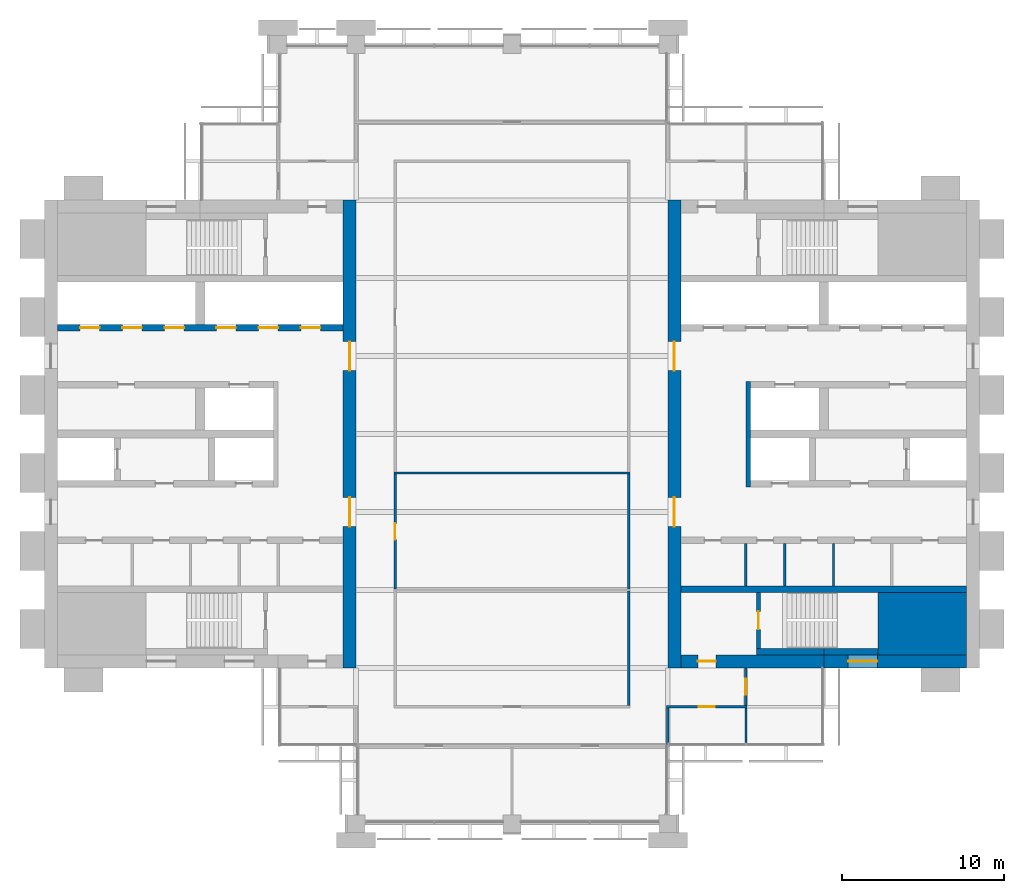
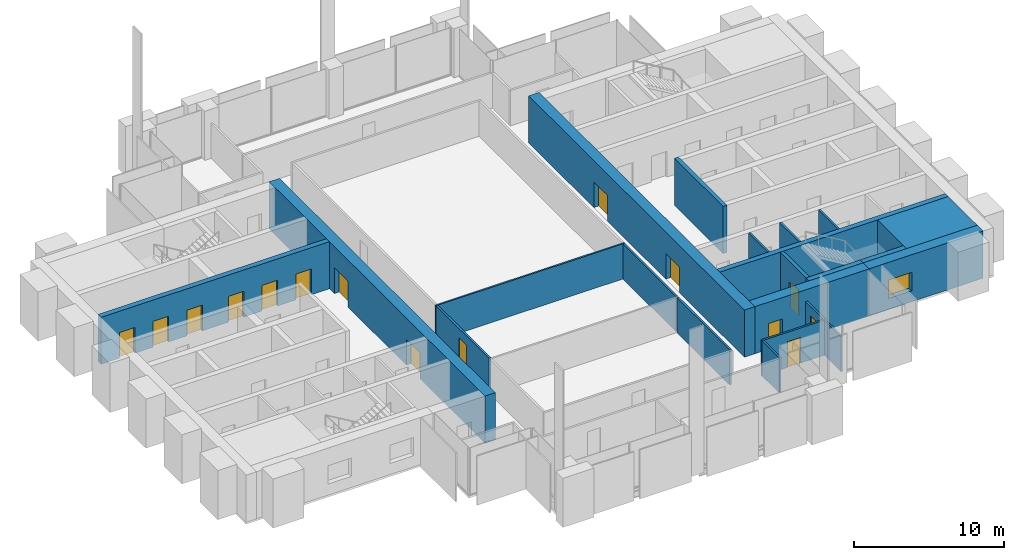
# One storey, part 9 of 13: 22 walls, 15 doors, 1 window, 16 openings.
"""IFC4 building model written with IfcOpenShell, lengths in metres."""

from ifc_helpers import new_model, si_unit, direction, frame, frame_2d, origin, place, context, subcontext, project, spatial, rectangle, extrude, material, layer, layer_set, type_object, element, fill, save


model = new_model("IFC4")

# Units and contexts
model_context = context("Model", 3, precision=1e-05, world=origin(), true_north=direction((0.0, 1.0)))
body_context = subcontext(model_context, "Body", "Model", "MODEL_VIEW")
ifc_project = project(units=[si_unit("LENGTHUNIT", "METRE"), si_unit("AREAUNIT", "SQUARE_METRE"), si_unit("VOLUMEUNIT", "CUBIC_METRE"), si_unit("PLANEANGLEUNIT", "RADIAN"), si_unit("MASSUNIT", "GRAM", prefix="KILO")], contexts=[model_context])

# Site, building, storey
site_placement = place(None, origin())
site = spatial("IfcSite", under=ifc_project, at=site_placement, CompositionType="ELEMENT")
building_placement = place(site_placement, origin())
building = spatial("IfcBuilding", under=site, at=building_placement, Name="Baori Bourse Tower", CompositionType="ELEMENT")
storey_placement = place(building_placement, frame((0.0, 0.0, 213.199951171875)))
storey = spatial("IfcBuildingStorey", under=building, at=storey_placement, Name="L46", CompositionType="ELEMENT", Elevation=213.199951171875)

# Walls
ifc_material_1 = material(Name="Concrete f'c 50 MPa", Category="concrete")
wall_type_1 = type_object("IfcWallType", Name="Core corner block f'c 50", PredefinedType="SHEAR", material=ifc_material_1)
wall_1_placement = place(storey_placement, frame((51.35009765625, 12.324951171875, 0.0), z_axis=(0.0, 0.0, 1.0), x_axis=(1.0, 0.0, 0.0)))
element("IfcWall", 1, at=wall_1_placement, inside=storey, type_object=wall_type_1, Name="Core wall E05", PredefinedType="SHEAR", context=body_context, shape_type="SweptSolid", body=[
    extrude(rectangle(XDim=5.449951171875, YDim=3.85009765625, at=frame_2d((2.72509765625, 0.0))), origin(), (0.0, 0.0, 1.0), 3.840087890625),
])
ifc_material_2 = material(Name="Blockwork partition", Category="masonry")
ifc_layer_1 = layer(ifc_material_2, 0.14990234375)
ifc_layer_set_1 = layer_set([ifc_layer_1], Name="Core partition 150")
wall_type_2 = type_object("IfcWallType", Name="Core partition 150", PredefinedType="PARTITIONING", material=ifc_layer_set_1)
for number, where, z_axis, x_axis, name in (
    (2, (48.60009765625, 14.64990234375, 0.0), (0.0, 0.0, 1.0), (0.0, 1.0, 0.0), "Partition wall E11"),
    (3, (45.60009765625, 14.64990234375, 0.0), (0.0, 0.0, 1.0), (0.0, 1.0, 0.0), "Partition wall E12"),
    (4, (43.199951171875, 14.64990234375, 0.0), (0.0, 0.0, 1.0), (0.0, 1.0, 0.0), "Partition wall E13"),
):
    element("IfcWall", number, at=place(storey_placement, frame(where, z_axis=z_axis, x_axis=x_axis)), inside=storey, type_object=wall_type_2, Name=name, PredefinedType="PARTITIONING", context=body_context, shape_type="SweptSolid", body=[
        extrude(rectangle(XDim=2.60009765625, YDim=0.14990234375, at=frame_2d((1.300048828125, 0.0))), origin(), (0.0, 0.0, 1.0), 3.840087890625),
    ])

# Wall, openings, doors
ifc_material_3 = material(Name="Concrete f'c 50 MPa", Category="concrete")
ifc_layer_2 = layer(ifc_material_3, 0.800048828125)
ifc_layer_set_2 = layer_set([ifc_layer_2], Name="Core wall 800 f'c 50")
wall_type_3 = type_object("IfcWallType", Name="Core wall 800 f'c 50", PredefinedType="SHEAR", material=ifc_layer_set_2)
wall_2_placement = place(storey_placement, frame((18.800048828125, 38.39990234375, 0.0), z_axis=(0.0, 0.0, 1.0), x_axis=(0.0, -1.0, 0.0)))
wall_2 = element("IfcWall", 5, at=wall_2_placement, inside=storey, type_object=wall_type_3, Name="Core wall W04", PredefinedType="SHEAR", context=body_context, shape_type="SweptSolid", body=[
    extrude(rectangle(XDim=28.7998046875, YDim=0.800048828125, at=frame_2d((14.39990234375, 0.0))), origin(), (0.0, 0.0, 1.0), 3.840087890625),
])
opening_1_placement = place(wall_2_placement, frame((18.300048828125, 0.0, 0.0)))
opening_1 = element("IfcOpeningElement", 6, at=opening_1_placement, cuts=wall_2, Name="Opening L46-D107", PredefinedType="OPENING", context=body_context, shape_type="SweptSolid", body=[
    extrude(rectangle(XDim=1.800048828125, YDim=2.10009765625, at=frame_2d((0.89990234375, 1.050048828125))), frame((0.0, 0.409912109375, 0.0), z_axis=(0.0, -1.0, 0.0), x_axis=(1.0, 0.0, 0.0)), (0.0, 0.0, 1.0), 0.820068359375),
])
opening_2_placement = place(wall_2_placement, frame((8.699951171875, 0.0, 0.0)))
opening_2 = element("IfcOpeningElement", 7, at=opening_2_placement, cuts=wall_2, Name="Opening L46-D108", PredefinedType="OPENING", context=body_context, shape_type="SweptSolid", body=[
    extrude(rectangle(XDim=1.800048828125, YDim=2.10009765625, at=frame_2d((0.89990234375, 1.050048828125))), frame((0.0, 0.409912109375, 0.0), z_axis=(0.0, -1.0, 0.0), x_axis=(1.0, 0.0, 0.0)), (0.0, 0.0, 1.0), 0.820068359375),
])
ifc_material_4 = material(Name="Painted steel door", Category="steel")
door_type_1 = type_object("IfcDoorType", Name="Core lobby door 1800", OperationType="DOUBLE_DOOR_SINGLE_SWING", PredefinedType="DOOR", material=ifc_material_4)
door_1_placement = place(opening_1_placement, origin())
door_1 = element("IfcDoor", 8, at=door_1_placement, inside=storey, type_object=door_type_1, Name="Lobby door W L46", OperationType="DOUBLE_DOOR_SINGLE_SWING", OverallHeight=2.10009765625, OverallWidth=1.800048828125, PredefinedType="DOOR", context=body_context, shape_type="SweptSolid", body=[
    extrude(rectangle(XDim=1.800048828125, YDim=2.10009765625, at=frame_2d((0.89990234375, 1.050048828125))), frame((0.0, 0.02490234375, 0.0), z_axis=(0.0, -1.0, 0.0), x_axis=(1.0, 0.0, 0.0)), (0.0, 0.0, 1.0), 0.050048828125),
])
fill(opening_1, door_1)
door_2_placement = place(opening_2_placement, origin())
door_2 = element("IfcDoor", 9, at=door_2_placement, inside=storey, type_object=door_type_1, Name="Lobby door W L46", OperationType="DOUBLE_DOOR_SINGLE_SWING", OverallHeight=2.10009765625, OverallWidth=1.800048828125, PredefinedType="DOOR", context=body_context, shape_type="SweptSolid", body=[
    extrude(rectangle(XDim=1.800048828125, YDim=2.10009765625, at=frame_2d((0.89990234375, 1.050048828125))), frame((0.0, 0.02490234375, 0.0), z_axis=(0.0, -1.0, 0.0), x_axis=(1.0, 0.0, 0.0)), (0.0, 0.0, 1.0), 0.050048828125),
])
fill(opening_2, door_2)

# Wall, opening, window
wall_3_placement = place(storey_placement, frame((56.800048828125, 10.0, 0.0), z_axis=(0.0, 0.0, 1.0), x_axis=(-1.0, 0.0, 0.0)))
wall_3 = element("IfcWall", 10, at=wall_3_placement, inside=storey, type_object=wall_type_3, Name="Core wall E02", PredefinedType="SHEAR", context=body_context, shape_type="SweptSolid", body=[
    extrude(rectangle(XDim=8.800048828125, YDim=0.800048828125, at=frame_2d((4.39990234375, 0.0))), origin(), (0.0, 0.0, 1.0), 3.840087890625),
])
opening_3_placement = place(wall_3_placement, frame((5.5, 0.0, 0.89990234375)))
opening_3 = element("IfcOpeningElement", 11, at=opening_3_placement, cuts=wall_3, Name="Opening L46-KW203", PredefinedType="OPENING", context=body_context, shape_type="SweptSolid", body=[
    extrude(rectangle(XDim=1.800048828125, YDim=1.5, at=frame_2d((0.89990234375, 0.75))), frame((0.0, 0.409912109375, 0.0), z_axis=(0.0, -1.0, 0.0), x_axis=(1.0, 0.0, 0.0)), (0.0, 0.0, 1.0), 0.820068359375),
])
ifc_material_5 = material(Name="Pale anodised aluminium", Category="aluminium")
window_type = type_object("IfcWindowType", Name="Stair window 1800 x 1500", PartitioningType="SINGLE_PANEL", PredefinedType="WINDOW", material=ifc_material_5)
window_placement = place(opening_3_placement, origin())
window = element("IfcWindow", 12, at=window_placement, inside=storey, type_object=window_type, Name="Stair window E L46 3", OverallHeight=1.5, OverallWidth=1.800048828125, PartitioningType="SINGLE_PANEL", PredefinedType="WINDOW", context=body_context, shape_type="SweptSolid", body=[
    extrude(rectangle(XDim=1.800048828125, YDim=1.5, at=frame_2d((0.89990234375, 0.75))), frame((0.0, 0.030029296875, 0.0), z_axis=(0.0, -1.0, 0.0), x_axis=(1.0, 0.0, 0.0)), (0.0, 0.0, 1.0), 0.06005859375),
])
fill(opening_3, window)

# Wall, opening, door
wall_4_placement = place(storey_placement, frame((48.0, 10.0, 0.0), z_axis=(0.0, 0.0, 1.0), x_axis=(-1.0, 0.0, 0.0)))
wall_4 = element("IfcWall", 13, at=wall_4_placement, inside=storey, type_object=wall_type_3, Name="Core wall E03", PredefinedType="SHEAR", context=body_context, shape_type="SweptSolid", body=[
    extrude(rectangle(XDim=8.800048828125, YDim=0.800048828125, at=frame_2d((4.39990234375, 0.0))), origin(), (0.0, 0.0, 1.0), 3.840087890625),
])
opening_4_placement = place(wall_4_placement, frame((6.64990234375, 0.0, 0.0)))
opening_4 = element("IfcOpeningElement", 14, at=opening_4_placement, cuts=wall_4, Name="Opening L46-D202", PredefinedType="OPENING", context=body_context, shape_type="SweptSolid", body=[
    extrude(rectangle(XDim=1.10009765625, YDim=2.10009765625, at=frame_2d((0.550048828125, 1.050048828125))), frame((0.0, 0.409912109375, 0.0), z_axis=(0.0, -1.0, 0.0), x_axis=(1.0, 0.0, 0.0)), (0.0, 0.0, 1.0), 0.820068359375),
])
ifc_material_6 = material(Name="Painted steel door", Category="steel")
door_type_2 = type_object("IfcDoorType", Name="Stair door 1100", OperationType="SINGLE_SWING_LEFT", PredefinedType="DOOR", material=ifc_material_6)
door_3_placement = place(opening_4_placement, origin())
door_3 = element("IfcDoor", 15, at=door_3_placement, inside=storey, type_object=door_type_2, Name="Stair vestibule door A E L46", OperationType="SINGLE_SWING_LEFT", OverallHeight=2.10009765625, OverallWidth=1.10009765625, PredefinedType="DOOR", context=body_context, shape_type="SweptSolid", body=[
    extrude(rectangle(XDim=1.10009765625, YDim=2.10009765625, at=frame_2d((0.550048828125, 1.050048828125))), frame((0.0, 0.02490234375, 0.0), z_axis=(0.0, -1.0, 0.0), x_axis=(1.0, 0.0, 0.0)), (0.0, 0.0, 1.0), 0.050048828125),
])
fill(opening_4, door_3)

# Wall, openings, doors
wall_5_placement = place(storey_placement, frame((38.800048828125, 9.60009765625, 0.0), z_axis=(0.0, 0.0, 1.0), x_axis=(0.0, 1.0, 0.0)))
wall_5 = element("IfcWall", 16, at=wall_5_placement, inside=storey, type_object=wall_type_3, Name="Core wall E04", PredefinedType="SHEAR", context=body_context, shape_type="SweptSolid", body=[
    extrude(rectangle(XDim=28.7998046875, YDim=0.800048828125, at=frame_2d((14.39990234375, 0.0))), origin(), (0.0, 0.0, 1.0), 3.840087890625),
])
opening_5_placement = place(wall_5_placement, frame((8.699951171875, 0.0, 0.0)))
opening_5 = element("IfcOpeningElement", 17, at=opening_5_placement, cuts=wall_5, Name="Opening L46-D207", PredefinedType="OPENING", context=body_context, shape_type="SweptSolid", body=[
    extrude(rectangle(XDim=1.800048828125, YDim=2.10009765625, at=frame_2d((0.89990234375, 1.050048828125))), frame((0.0, 0.409912109375, 0.0), z_axis=(0.0, -1.0, 0.0), x_axis=(1.0, 0.0, 0.0)), (0.0, 0.0, 1.0), 0.820068359375),
])
opening_6_placement = place(wall_5_placement, frame((18.300048828125, 0.0, 0.0)))
opening_6 = element("IfcOpeningElement", 18, at=opening_6_placement, cuts=wall_5, Name="Opening L46-D208", PredefinedType="OPENING", context=body_context, shape_type="SweptSolid", body=[
    extrude(rectangle(XDim=1.800048828125, YDim=2.10009765625, at=frame_2d((0.89990234375, 1.050048828125))), frame((0.0, 0.409912109375, 0.0), z_axis=(0.0, -1.0, 0.0), x_axis=(1.0, 0.0, 0.0)), (0.0, 0.0, 1.0), 0.820068359375),
])
door_4_placement = place(opening_5_placement, origin())
door_4 = element("IfcDoor", 19, at=door_4_placement, inside=storey, type_object=door_type_1, Name="Lobby door E L46", OperationType="DOUBLE_DOOR_SINGLE_SWING", OverallHeight=2.10009765625, OverallWidth=1.800048828125, PredefinedType="DOOR", context=body_context, shape_type="SweptSolid", body=[
    extrude(rectangle(XDim=1.800048828125, YDim=2.10009765625, at=frame_2d((0.89990234375, 1.050048828125))), frame((0.0, 0.02490234375, 0.0), z_axis=(0.0, -1.0, 0.0), x_axis=(1.0, 0.0, 0.0)), (0.0, 0.0, 1.0), 0.050048828125),
])
fill(opening_5, door_4)
door_5_placement = place(opening_6_placement, origin())
door_5 = element("IfcDoor", 20, at=door_5_placement, inside=storey, type_object=door_type_1, Name="Lobby door E L46", OperationType="DOUBLE_DOOR_SINGLE_SWING", OverallHeight=2.10009765625, OverallWidth=1.800048828125, PredefinedType="DOOR", context=body_context, shape_type="SweptSolid", body=[
    extrude(rectangle(XDim=1.800048828125, YDim=2.10009765625, at=frame_2d((0.89990234375, 1.050048828125))), frame((0.0, 0.02490234375, 0.0), z_axis=(0.0, -1.0, 0.0), x_axis=(1.0, 0.0, 0.0)), (0.0, 0.0, 1.0), 0.050048828125),
])
fill(opening_6, door_5)

# Wall, opening, door
ifc_material_7 = material(Name="Gypsum board partition")
ifc_layer_3 = layer(ifc_material_7, 0.14990234375)
ifc_layer_set_3 = layer_set([ifc_layer_3], Name="Corridor partition 150")
wall_type_4 = type_object("IfcWallType", Name="Corridor partition 150", PredefinedType="PARTITIONING", material=ifc_layer_set_3)
wall_6_placement = place(storey_placement, frame((38.324951171875, 7.199951171875, 0.0), z_axis=(0.0, 0.0, 1.0), x_axis=(1.0, 0.0, 0.0)))
wall_6 = element("IfcWall", 21, at=wall_6_placement, inside=storey, type_object=wall_type_4, Name="Partition", PredefinedType="PARTITIONING", context=body_context, shape_type="SweptSolid", body=[
    extrude(rectangle(XDim=4.949951171875, YDim=0.14990234375, at=frame_2d((2.47509765625, 0.0))), origin(), (0.0, 0.0, 1.0), 2.869873046875),
])
opening_7_placement = place(wall_6_placement, frame((1.97509765625, 0.0, 0.0)))
opening_7 = element("IfcOpeningElement", 22, at=opening_7_placement, cuts=wall_6, Name="Opening L46-D05", PredefinedType="OPENING", context=body_context, shape_type="SweptSolid", body=[
    extrude(rectangle(XDim=1.0, YDim=2.10009765625, at=frame_2d((0.5, 1.050048828125))), frame((0.0, 0.0849609375, 0.0), z_axis=(0.0, -1.0, 0.0), x_axis=(1.0, 0.0, 0.0)), (0.0, 0.0, 1.0), 0.169921875),
])
ifc_material_8 = material(Name="Timber door leaf", Category="wood")
door_type_3 = type_object("IfcDoorType", Name="Door 1000 x 2100", OperationType="SINGLE_SWING_LEFT", PredefinedType="DOOR", material=ifc_material_8)
door_6_placement = place(opening_7_placement, origin())
door_6 = element("IfcDoor", 23, at=door_6_placement, inside=storey, type_object=door_type_3, Name="Door", OperationType="SINGLE_SWING_LEFT", OverallHeight=2.10009765625, OverallWidth=1.0, PredefinedType="DOOR", context=body_context, shape_type="SweptSolid", body=[
    extrude(rectangle(XDim=1.0, YDim=2.10009765625, at=frame_2d((0.5, 1.050048828125))), frame((0.0, 0.02490234375, 0.0), z_axis=(0.0, -1.0, 0.0), x_axis=(1.0, 0.0, 0.0)), (0.0, 0.0, 1.0), 0.050048828125),
])
fill(opening_7, door_6)

wall_7_placement = place(storey_placement, frame((21.60009765625, 14.46240234375, 0.0), z_axis=(0.0, 0.0, 1.0), x_axis=(0.0, 1.0, 0.0)))
wall_7 = element("IfcWall", 24, at=wall_7_placement, inside=storey, type_object=wall_type_4, Name="Partition", PredefinedType="PARTITIONING", context=body_context, shape_type="SweptSolid", body=[
    extrude(rectangle(XDim=7.0751953125, YDim=0.14990234375, at=frame_2d((3.53759765625, 0.0))), origin(), (0.0, 0.0, 1.0), 2.869873046875),
])
opening_8_placement = place(wall_7_placement, frame((3.03759765625, 0.0, 0.0)))
opening_8 = element("IfcOpeningElement", 25, at=opening_8_placement, cuts=wall_7, Name="Opening L46-D10", PredefinedType="OPENING", context=body_context, shape_type="SweptSolid", body=[
    extrude(rectangle(XDim=1.0, YDim=2.10009765625, at=frame_2d((0.5, 1.050048828125))), frame((0.0, 0.0849609375, 0.0), z_axis=(0.0, -1.0, 0.0), x_axis=(1.0, 0.0, 0.0)), (0.0, 0.0, 1.0), 0.169921875),
])
door_7_placement = place(opening_8_placement, origin())
door_7 = element("IfcDoor", 26, at=door_7_placement, inside=storey, type_object=door_type_3, Name="Door", OperationType="SINGLE_SWING_LEFT", OverallHeight=2.10009765625, OverallWidth=1.0, PredefinedType="DOOR", context=body_context, shape_type="SweptSolid", body=[
    extrude(rectangle(XDim=1.0, YDim=2.10009765625, at=frame_2d((0.5, 1.050048828125))), frame((0.0, 0.02490234375, 0.0), z_axis=(0.0, -1.0, 0.0), x_axis=(1.0, 0.0, 0.0)), (0.0, 0.0, 1.0), 0.050048828125),
])
fill(opening_8, door_7)

# Walls
wall_8_placement = place(storey_placement, frame((36.0, 7.27490234375, 0.0), z_axis=(0.0, 0.0, 1.0), x_axis=(0.0, 1.0, 0.0)))
element("IfcWall", 27, at=wall_8_placement, inside=storey, type_object=wall_type_4, Name="Partition", PredefinedType="PARTITIONING", context=body_context, shape_type="SweptSolid", body=[
    extrude(rectangle(XDim=7.0625, YDim=0.14990234375, at=frame_2d((3.53125, 0.0))), origin(), (0.0, 0.0, 1.0), 2.869873046875),
])
wall_9_placement = place(storey_placement, frame((36.0, 14.46240234375, 0.0), z_axis=(0.0, 0.0, 1.0), x_axis=(0.0, 1.0, 0.0)))
element("IfcWall", 28, at=wall_9_placement, inside=storey, type_object=wall_type_4, Name="Partition", PredefinedType="PARTITIONING", context=body_context, shape_type="SweptSolid", body=[
    extrude(rectangle(XDim=7.0751953125, YDim=0.14990234375, at=frame_2d((3.53759765625, 0.0))), origin(), (0.0, 0.0, 1.0), 2.869873046875),
])
wall_10_placement = place(storey_placement, frame((38.39990234375, 4.875, 0.0), z_axis=(0.0, 0.0, 1.0), x_axis=(0.0, 1.0, 0.0)))
element("IfcWall", 29, at=wall_10_placement, inside=storey, type_object=wall_type_4, Name="Partition", PredefinedType="PARTITIONING", context=body_context, shape_type="SweptSolid", body=[
    extrude(rectangle(XDim=2.25, YDim=0.14990234375, at=frame_2d((1.125, 0.0))), origin(), (0.0, 0.0, 1.0), 2.869873046875),
])

# Wall, opening, door
wall_11_placement = place(storey_placement, frame((43.199951171875, 7.27490234375, 0.0), z_axis=(0.0, 0.0, 1.0), x_axis=(0.0, 1.0, 0.0)))
wall_11 = element("IfcWall", 30, at=wall_11_placement, inside=storey, type_object=wall_type_4, Name="Partition", PredefinedType="PARTITIONING", context=body_context, shape_type="SweptSolid", body=[
    extrude(rectangle(XDim=2.3251953125, YDim=0.14990234375, at=frame_2d((1.16259765625, 0.0))), origin(), (0.0, 0.0, 1.0), 2.869873046875),
])
opening_9_placement = place(wall_11_placement, frame((0.66259765625, 0.0, 0.0)))
opening_9 = element("IfcOpeningElement", 31, at=opening_9_placement, cuts=wall_11, Name="Opening L46-D12", PredefinedType="OPENING", context=body_context, shape_type="SweptSolid", body=[
    extrude(rectangle(XDim=1.0, YDim=2.10009765625, at=frame_2d((0.5, 1.050048828125))), frame((0.0, 0.0849609375, 0.0), z_axis=(0.0, -1.0, 0.0), x_axis=(1.0, 0.0, 0.0)), (0.0, 0.0, 1.0), 0.169921875),
])
door_8_placement = place(opening_9_placement, origin())
door_8 = element("IfcDoor", 32, at=door_8_placement, inside=storey, type_object=door_type_3, Name="Door", OperationType="SINGLE_SWING_LEFT", OverallHeight=2.10009765625, OverallWidth=1.0, PredefinedType="DOOR", context=body_context, shape_type="SweptSolid", body=[
    extrude(rectangle(XDim=1.0, YDim=2.10009765625, at=frame_2d((0.5, 1.050048828125))), frame((0.0, 0.02490234375, 0.0), z_axis=(0.0, -1.0, 0.0), x_axis=(1.0, 0.0, 0.0)), (0.0, 0.0, 1.0), 0.050048828125),
])
fill(opening_9, door_8)

# Walls
ifc_material_9 = material(Name="Gypsum board partition")
ifc_layer_4 = layer(ifc_material_9, 0.125)
ifc_layer_set_4 = layer_set([ifc_layer_4], Name="Partition 125")
wall_type_5 = type_object("IfcWallType", Name="Partition 125", PredefinedType="PARTITIONING", material=ifc_layer_set_4)
wall_12_placement = place(storey_placement, frame((21.52490234375, 21.60009765625, 0.0), z_axis=(0.0, 0.0, 1.0), x_axis=(1.0, 0.0, 0.0)))
element("IfcWall", 33, at=wall_12_placement, inside=storey, type_object=wall_type_5, Name="Partition", PredefinedType="PARTITIONING", context=body_context, shape_type="SweptSolid", body=[
    extrude(rectangle(XDim=14.550048828125, YDim=0.125, at=frame_2d((7.27490234375, 0.0))), origin(), (0.0, 0.0, 1.0), 2.869873046875),
])
wall_13_placement = place(storey_placement, frame((43.199951171875, 4.89990234375, 0.0), z_axis=(0.0, 0.0, 1.0), x_axis=(0.0, 1.0, 0.0)))
element("IfcWall", 34, at=wall_13_placement, inside=storey, type_object=wall_type_5, Name="Partition", PredefinedType="PARTITIONING", context=body_context, shape_type="SweptSolid", body=[
    extrude(rectangle(XDim=2.22509765625, YDim=0.125, at=frame_2d((1.112548828125, 0.0))), origin(), (0.0, 0.0, 1.0), 2.869873046875),
])

# Wall, opening, door
ifc_material_10 = material(Name="Concrete f'c 50 MPa", Category="concrete")
ifc_layer_5 = layer(ifc_material_10, 0.25)
ifc_layer_set_5 = layer_set([ifc_layer_5], Name="Shaft wall 250 f'c 50")
wall_type_6 = type_object("IfcWallType", Name="Shaft wall 250 f'c 50", PredefinedType="SHEAR", material=ifc_layer_set_5)
wall_14_placement = place(storey_placement, frame((43.97509765625, 10.800048828125, 0.0), z_axis=(0.0, 0.0, 1.0), x_axis=(0.0, 1.0, 0.0)))
wall_14 = element("IfcWall", 35, at=wall_14_placement, inside=storey, type_object=wall_type_6, Name="Core wall E08", PredefinedType="SHEAR", context=body_context, shape_type="SweptSolid", body=[
    extrude(rectangle(XDim=3.449951171875, YDim=0.25, at=frame_2d((1.72509765625, 0.0))), origin(), (0.0, 0.0, 1.0), 3.840087890625),
])
opening_10_placement = place(wall_14_placement, frame((1.175048828125, 0.0, 0.0)))
opening_10 = element("IfcOpeningElement", 36, at=opening_10_placement, cuts=wall_14, Name="Opening L46-D201", PredefinedType="OPENING", context=body_context, shape_type="SweptSolid", body=[
    extrude(rectangle(XDim=1.10009765625, YDim=2.10009765625, at=frame_2d((0.550048828125, 1.050048828125))), frame((0.0, 0.135009765625, 0.0), z_axis=(0.0, -1.0, 0.0), x_axis=(1.0, 0.0, 0.0)), (0.0, 0.0, 1.0), 0.27001953125),
])
door_9_placement = place(opening_10_placement, origin())
door_9 = element("IfcDoor", 37, at=door_9_placement, inside=storey, type_object=door_type_2, Name="Stair door A E L46", OperationType="SINGLE_SWING_LEFT", OverallHeight=2.10009765625, OverallWidth=1.10009765625, PredefinedType="DOOR", context=body_context, shape_type="SweptSolid", body=[
    extrude(rectangle(XDim=1.10009765625, YDim=2.10009765625, at=frame_2d((0.550048828125, 1.050048828125))), frame((0.0, 0.02490234375, 0.0), z_axis=(0.0, -1.0, 0.0), x_axis=(1.0, 0.0, 0.0)), (0.0, 0.0, 1.0), 0.050048828125),
])
fill(opening_10, door_9)

# Wall
ifc_material_11 = material(Name="Concrete f'c 50 MPa", Category="concrete")
ifc_layer_6 = layer(ifc_material_11, 0.300048828125)
ifc_layer_set_6 = layer_set([ifc_layer_6], Name="Shaft wall 300 f'c 50")
wall_type_7 = type_object("IfcWallType", Name="Shaft wall 300 f'c 50", PredefinedType="SHEAR", material=ifc_layer_set_6)
wall_15_placement = place(storey_placement, frame((43.35009765625, 20.75, 0.0), z_axis=(0.0, 0.0, 1.0), x_axis=(0.0, 1.0, 0.0)))
element("IfcWall", 38, at=wall_15_placement, inside=storey, type_object=wall_type_7, Name="Core wall E16", PredefinedType="SHEAR", context=body_context, shape_type="SweptSolid", body=[
    extrude(rectangle(XDim=6.5, YDim=0.300048828125, at=frame_2d((3.25, 0.0))), origin(), (0.0, 0.0, 1.0), 3.840087890625),
])

# Wall, openings, doors
ifc_material_12 = material(Name="Concrete f'c 50 MPa", Category="concrete")
ifc_layer_7 = layer(ifc_material_12, 0.39990234375)
ifc_layer_set_7 = layer_set([ifc_layer_7], Name="Shaft wall 400 f'c 50")
wall_type_8 = type_object("IfcWallType", Name="Shaft wall 400 f'c 50", PredefinedType="SHEAR", material=ifc_layer_set_7)
wall_16_placement = place(storey_placement, frame((0.800048828125, 30.550048828125, 0.0), z_axis=(0.0, 0.0, 1.0), x_axis=(1.0, 0.0, 0.0)))
wall_16 = element("IfcWall", 39, at=wall_16_placement, inside=storey, type_object=wall_type_8, Name="Core wall W21", PredefinedType="SHEAR", context=body_context, shape_type="SweptSolid", body=[
    extrude(rectangle(XDim=17.599853515625, YDim=0.39990234375, at=frame_2d((8.7998046875, 0.0))), origin(), (0.0, 0.0, 1.0), 3.840087890625),
])
opening_11_placement = place(wall_16_placement, frame((1.39990234375, 0.0, 0.0)))
opening_11 = element("IfcOpeningElement", 40, at=opening_11_placement, cuts=wall_16, Name="Opening L46-D115", PredefinedType="OPENING", context=body_context, shape_type="SweptSolid", body=[
    extrude(rectangle(XDim=1.199951171875, YDim=2.10009765625, at=frame_2d((0.60009765625, 1.050048828125))), frame((0.0, 0.2099609375, 0.0), z_axis=(0.0, -1.0, 0.0), x_axis=(1.0, 0.0, 0.0)), (0.0, 0.0, 1.0), 0.419921875),
])
opening_12_placement = place(wall_16_placement, frame((4.0, 0.0, 0.0)))
opening_12 = element("IfcOpeningElement", 41, at=opening_12_placement, cuts=wall_16, Name="Opening L46-D116", PredefinedType="OPENING", context=body_context, shape_type="SweptSolid", body=[
    extrude(rectangle(XDim=1.199951171875, YDim=2.10009765625, at=frame_2d((0.60009765625, 1.050048828125))), frame((0.0, 0.2099609375, 0.0), z_axis=(0.0, -1.0, 0.0), x_axis=(1.0, 0.0, 0.0)), (0.0, 0.0, 1.0), 0.419921875),
])
opening_13_placement = place(wall_16_placement, frame((6.60009765625, 0.0, 0.0)))
opening_13 = element("IfcOpeningElement", 42, at=opening_13_placement, cuts=wall_16, Name="Opening L46-D117", PredefinedType="OPENING", context=body_context, shape_type="SweptSolid", body=[
    extrude(rectangle(XDim=1.199951171875, YDim=2.10009765625, at=frame_2d((0.60009765625, 1.050048828125))), frame((0.0, 0.2099609375, 0.0), z_axis=(0.0, -1.0, 0.0), x_axis=(1.0, 0.0, 0.0)), (0.0, 0.0, 1.0), 0.419921875),
])
opening_14_placement = place(wall_16_placement, frame((9.800048828125, 0.0, 0.0)))
opening_14 = element("IfcOpeningElement", 43, at=opening_14_placement, cuts=wall_16, Name="Opening L46-D118", PredefinedType="OPENING", context=body_context, shape_type="SweptSolid", body=[
    extrude(rectangle(XDim=1.199951171875, YDim=2.10009765625, at=frame_2d((0.60009765625, 1.050048828125))), frame((0.0, 0.2099609375, 0.0), z_axis=(0.0, -1.0, 0.0), x_axis=(1.0, 0.0, 0.0)), (0.0, 0.0, 1.0), 0.419921875),
])
opening_15_placement = place(wall_16_placement, frame((12.39990234375, 0.0, 0.0)))
opening_15 = element("IfcOpeningElement", 44, at=opening_15_placement, cuts=wall_16, Name="Opening L46-D119", PredefinedType="OPENING", context=body_context, shape_type="SweptSolid", body=[
    extrude(rectangle(XDim=1.199951171875, YDim=2.10009765625, at=frame_2d((0.60009765625, 1.050048828125))), frame((0.0, 0.2099609375, 0.0), z_axis=(0.0, -1.0, 0.0), x_axis=(1.0, 0.0, 0.0)), (0.0, 0.0, 1.0), 0.419921875),
])
opening_16_placement = place(wall_16_placement, frame((15.0, 0.0, 0.0)))
opening_16 = element("IfcOpeningElement", 45, at=opening_16_placement, cuts=wall_16, Name="Opening L46-D120", PredefinedType="OPENING", context=body_context, shape_type="SweptSolid", body=[
    extrude(rectangle(XDim=1.199951171875, YDim=2.10009765625, at=frame_2d((0.60009765625, 1.050048828125))), frame((0.0, 0.2099609375, 0.0), z_axis=(0.0, -1.0, 0.0), x_axis=(1.0, 0.0, 0.0)), (0.0, 0.0, 1.0), 0.419921875),
])
ifc_material_13 = material(Name="Stainless steel door", Category="steel")
door_type_4 = type_object("IfcDoorType", Name="Lift landing door", OperationType="DOUBLE_DOOR_SLIDING", PredefinedType="DOOR", material=ifc_material_13)
door_10_placement = place(opening_11_placement, origin())
door_10 = element("IfcDoor", 46, at=door_10_placement, inside=storey, type_object=door_type_4, Name="Lift landing door HR1 W L46", OperationType="DOUBLE_DOOR_SLIDING", OverallHeight=2.10009765625, OverallWidth=1.199951171875, PredefinedType="DOOR", context=body_context, shape_type="SweptSolid", body=[
    extrude(rectangle(XDim=1.199951171875, YDim=2.10009765625, at=frame_2d((0.60009765625, 1.050048828125))), frame((0.0, 0.02490234375, 0.0), z_axis=(0.0, -1.0, 0.0), x_axis=(1.0, 0.0, 0.0)), (0.0, 0.0, 1.0), 0.050048828125),
])
fill(opening_11, door_10)
door_11_placement = place(opening_12_placement, origin())
door_11 = element("IfcDoor", 47, at=door_11_placement, inside=storey, type_object=door_type_4, Name="Lift landing door HR2 W L46", OperationType="DOUBLE_DOOR_SLIDING", OverallHeight=2.10009765625, OverallWidth=1.199951171875, PredefinedType="DOOR", context=body_context, shape_type="SweptSolid", body=[
    extrude(rectangle(XDim=1.199951171875, YDim=2.10009765625, at=frame_2d((0.60009765625, 1.050048828125))), frame((0.0, 0.02490234375, 0.0), z_axis=(0.0, -1.0, 0.0), x_axis=(1.0, 0.0, 0.0)), (0.0, 0.0, 1.0), 0.050048828125),
])
fill(opening_12, door_11)
door_12_placement = place(opening_13_placement, origin())
door_12 = element("IfcDoor", 48, at=door_12_placement, inside=storey, type_object=door_type_4, Name="Lift landing door HR3 W L46", OperationType="DOUBLE_DOOR_SLIDING", OverallHeight=2.10009765625, OverallWidth=1.199951171875, PredefinedType="DOOR", context=body_context, shape_type="SweptSolid", body=[
    extrude(rectangle(XDim=1.199951171875, YDim=2.10009765625, at=frame_2d((0.60009765625, 1.050048828125))), frame((0.0, 0.02490234375, 0.0), z_axis=(0.0, -1.0, 0.0), x_axis=(1.0, 0.0, 0.0)), (0.0, 0.0, 1.0), 0.050048828125),
])
fill(opening_13, door_12)
door_13_placement = place(opening_14_placement, origin())
door_13 = element("IfcDoor", 49, at=door_13_placement, inside=storey, type_object=door_type_4, Name="Lift landing door HR4 W L46", OperationType="DOUBLE_DOOR_SLIDING", OverallHeight=2.10009765625, OverallWidth=1.199951171875, PredefinedType="DOOR", context=body_context, shape_type="SweptSolid", body=[
    extrude(rectangle(XDim=1.199951171875, YDim=2.10009765625, at=frame_2d((0.60009765625, 1.050048828125))), frame((0.0, 0.02490234375, 0.0), z_axis=(0.0, -1.0, 0.0), x_axis=(1.0, 0.0, 0.0)), (0.0, 0.0, 1.0), 0.050048828125),
])
fill(opening_14, door_13)
door_14_placement = place(opening_15_placement, origin())
door_14 = element("IfcDoor", 50, at=door_14_placement, inside=storey, type_object=door_type_4, Name="Lift landing door HR5 W L46", OperationType="DOUBLE_DOOR_SLIDING", OverallHeight=2.10009765625, OverallWidth=1.199951171875, PredefinedType="DOOR", context=body_context, shape_type="SweptSolid", body=[
    extrude(rectangle(XDim=1.199951171875, YDim=2.10009765625, at=frame_2d((0.60009765625, 1.050048828125))), frame((0.0, 0.02490234375, 0.0), z_axis=(0.0, -1.0, 0.0), x_axis=(1.0, 0.0, 0.0)), (0.0, 0.0, 1.0), 0.050048828125),
])
fill(opening_15, door_14)
door_15_placement = place(opening_16_placement, origin())
door_15 = element("IfcDoor", 51, at=door_15_placement, inside=storey, type_object=door_type_4, Name="Lift landing door HR6 W L46", OperationType="DOUBLE_DOOR_SLIDING", OverallHeight=2.10009765625, OverallWidth=1.199951171875, PredefinedType="DOOR", context=body_context, shape_type="SweptSolid", body=[
    extrude(rectangle(XDim=1.199951171875, YDim=2.10009765625, at=frame_2d((0.60009765625, 1.050048828125))), frame((0.0, 0.02490234375, 0.0), z_axis=(0.0, -1.0, 0.0), x_axis=(1.0, 0.0, 0.0)), (0.0, 0.0, 1.0), 0.050048828125),
])
fill(opening_16, door_15)

# Walls
wall_17_placement = place(storey_placement, frame((48.0, 10.60009765625, 0.0), z_axis=(0.0, 0.0, 1.0), x_axis=(1.0, 0.0, 0.0)))
element("IfcWall", 52, at=wall_17_placement, inside=storey, type_object=wall_type_8, Name="Core wall E06", PredefinedType="SHEAR", context=body_context, shape_type="SweptSolid", body=[
    extrude(rectangle(XDim=3.35009765625, YDim=0.39990234375, at=frame_2d((1.675048828125, 0.0))), origin(), (0.0, 0.0, 1.0), 3.840087890625),
])
wall_18_placement = place(storey_placement, frame((43.85009765625, 10.60009765625, 0.0), z_axis=(0.0, 0.0, 1.0), x_axis=(1.0, 0.0, 0.0)))
element("IfcWall", 53, at=wall_18_placement, inside=storey, type_object=wall_type_8, Name="Core wall E07", PredefinedType="SHEAR", context=body_context, shape_type="SweptSolid", body=[
    extrude(rectangle(XDim=4.14990234375, YDim=0.39990234375, at=frame_2d((2.074951171875, 0.0))), origin(), (0.0, 0.0, 1.0), 3.840087890625),
])
wall_19_placement = place(storey_placement, frame((39.199951171875, 14.449951171875, 0.0), z_axis=(0.0, 0.0, 1.0), x_axis=(1.0, 0.0, 0.0)))
element("IfcWall", 54, at=wall_19_placement, inside=storey, type_object=wall_type_8, Name="Core wall E09", PredefinedType="SHEAR", context=body_context, shape_type="SweptSolid", body=[
    extrude(rectangle(XDim=17.60009765625, YDim=0.39990234375, at=frame_2d((8.800048828125, 0.0))), origin(), (0.0, 0.0, 1.0), 3.840087890625),
])

save(model, "model.ifc")
